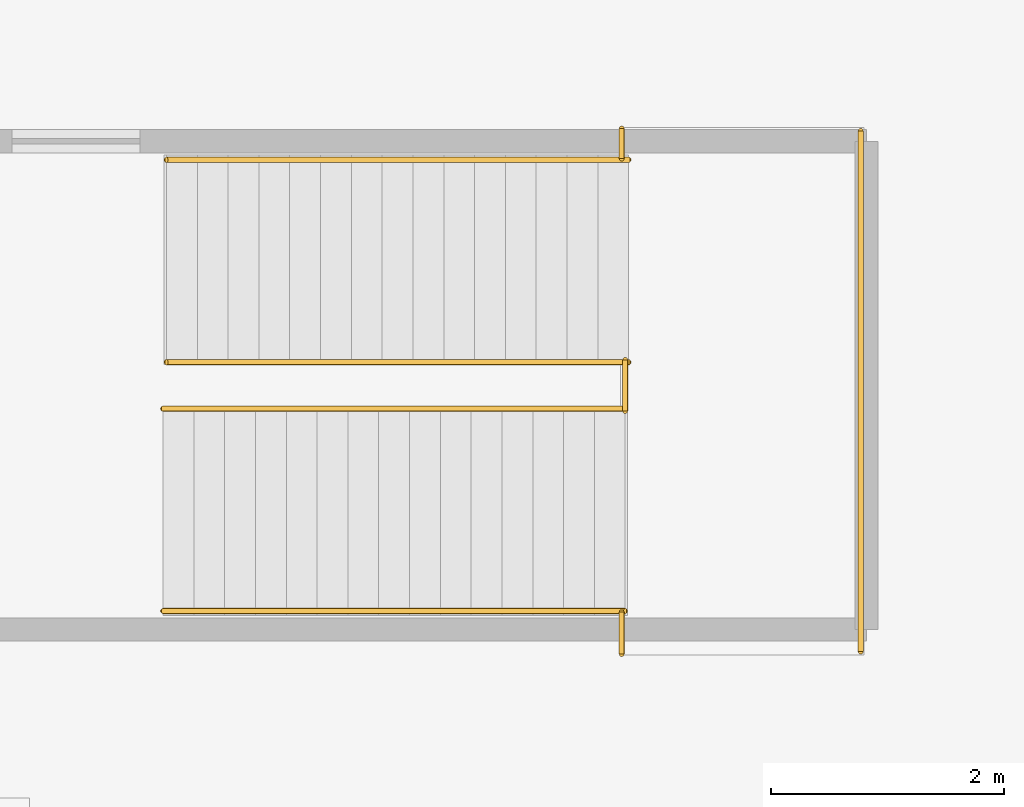
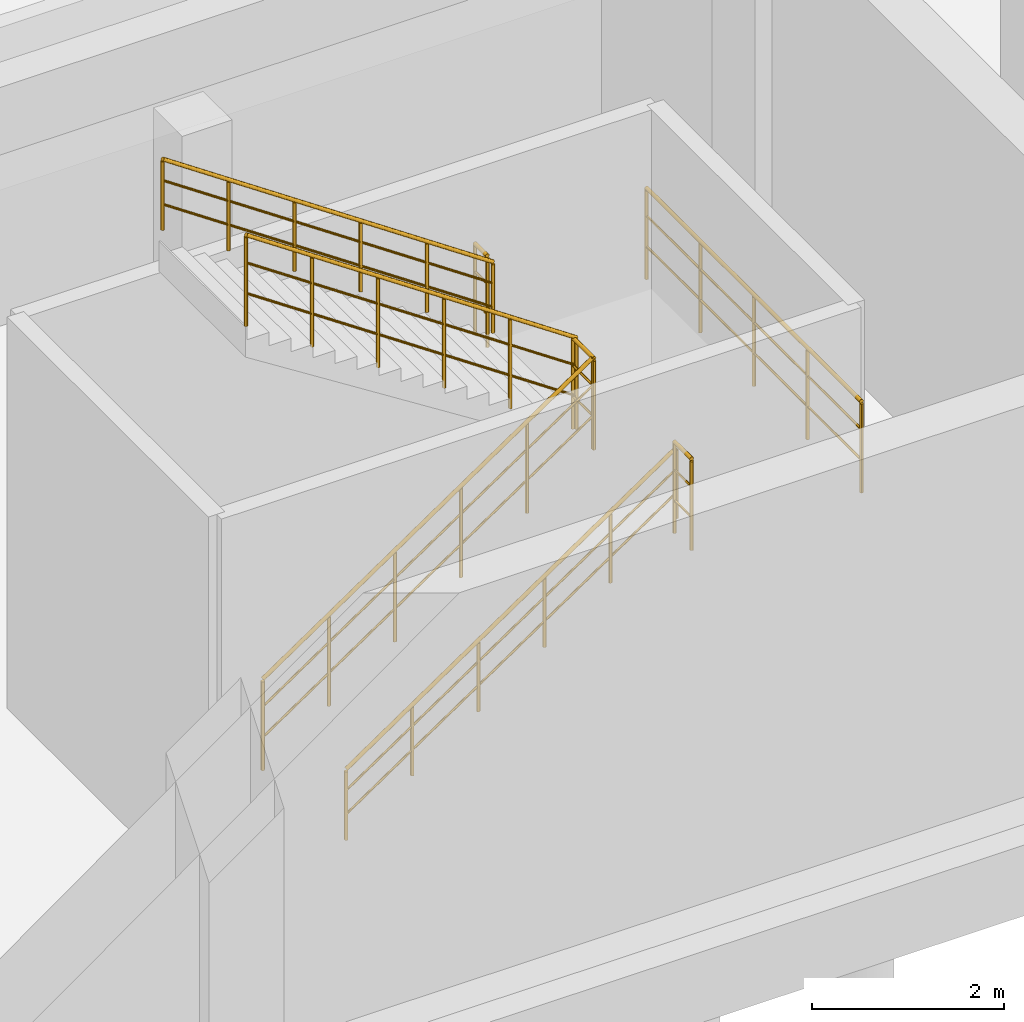
# One storey, part 41 of 42: 8 railings.
"""IFC4 building model written with IfcOpenShell, lengths in metres."""

from ifc_helpers import new_model, si_unit, direction, frame, origin, origin_2d, place, context, subcontext, project, spatial, circle, extrude, material, layer, layer_set, type_object, element, save


model = new_model("IFC4")

# Units and contexts
model_context = context("Model", 3, precision=1e-05, world=origin(), true_north=direction((0.0, 1.0)))
body_context = subcontext(model_context, "Body", "Model", "MODEL_VIEW")
ifc_project = project(units=[si_unit("LENGTHUNIT", "METRE"), si_unit("AREAUNIT", "SQUARE_METRE"), si_unit("VOLUMEUNIT", "CUBIC_METRE"), si_unit("PLANEANGLEUNIT", "RADIAN"), si_unit("MASSUNIT", "GRAM", prefix="KILO"), si_unit("THERMODYNAMICTEMPERATUREUNIT", "KELVIN"), si_unit("POWERUNIT", "WATT")], contexts=[model_context])

# Site, building, storey
site_placement = place(None, origin())
site = spatial("IfcSite", under=ifc_project, at=site_placement, CompositionType="ELEMENT")
building_placement = place(site_placement, origin())
building = spatial("IfcBuilding", under=site, at=building_placement, Name="Solmara Park Aquatics Centre", CompositionType="ELEMENT")
storey_placement = place(building_placement, frame((0.0, 0.0, -5.39990234375)))
storey = spatial("IfcBuildingStorey", under=building, at=storey_placement, Name="B1", CompositionType="ELEMENT", Elevation=-5.39990234375)

# Railings
ifc_material_1 = material(Name="Brushed Marine-Grade Stainless Steel 316L Handrail", Category="steel")
ifc_layer_1 = layer(ifc_material_1, 0.044921875, Name="Brushed Marine-Grade Stainless Steel 316L Handrail")
ifc_layer_set_1 = layer_set([ifc_layer_1], Name="Brushed Marine-Grade Stainless Steel 316L Handrail")
railing_type_1 = type_object("IfcRailingType", Name="ARC-RL-HND090", PredefinedType="HANDRAIL", material=ifc_layer_set_1)
railing_1_placement = place(storey_placement, frame((146.85009765625, 111.010009765625, 0.168701171875)))
element("IfcRailing", 1, at=railing_1_placement, inside=storey, type_object=railing_type_1, Name="East Wellness Escape Stair ST-07 (B1-L00) Flight 1 Outer Handrail", PredefinedType="HANDRAIL", context=body_context, shape_type="SweptSolid", body=[
    extrude(circle(Radius=0.02392578125, at=origin_2d()), frame((0.0, 0.0, 0.89599609375), z_axis=(0.827211789872, 0.0, 0.56189025147), x_axis=(0.0, 1.0, 0.0)), (0.0, 0.0, 1.0), 4.80517578125),
    extrude(circle(Radius=0.01416015625, at=origin_2d()), frame((0.0, 0.0, 0.322021484375), z_axis=(0.827211789872, 0.0, 0.56189025147), x_axis=(0.0, 1.0, 0.0)), (0.0, 0.0, 1.0), 4.80517578125),
    extrude(circle(Radius=0.01416015625, at=origin_2d()), frame((0.0, 0.0, 0.62548828125), z_axis=(0.827211789872, 0.0, 0.56189025147), x_axis=(0.0, 1.0, 0.0)), (0.0, 0.0, 1.0), 4.80517578125),
    extrude(circle(Radius=0.02099609375, at=origin_2d()), origin(), (0.0, 0.0, 1.0), 0.871826171875),
    extrude(circle(Radius=0.02099609375, at=origin_2d()), frame((0.794921875, 0.0, 0.5400390625)), (0.0, 0.0, 1.0), 0.871826171875),
    extrude(circle(Radius=0.02099609375, at=origin_2d()), frame((1.58984375, 0.0, 1.080078125)), (0.0, 0.0, 1.0), 0.871826171875),
    extrude(circle(Radius=0.02099609375, at=origin_2d()), frame((2.385009765625, 0.0, 1.619873046875)), (0.0, 0.0, 1.0), 0.871826171875),
    extrude(circle(Radius=0.02099609375, at=origin_2d()), frame((3.179931640625, 0.0, 2.159912109375)), (0.0, 0.0, 1.0), 0.871826171875),
    extrude(circle(Radius=0.02099609375, at=origin_2d()), frame((3.974853515625, 0.0, 2.699951171875)), (0.0, 0.0, 1.0), 0.871826171875),
])
railing_2_placement = place(storey_placement, frame((150.85498046875, 114.889892578125, 2.86865234375)))
element("IfcRailing", 2, at=railing_2_placement, inside=storey, type_object=railing_type_1, Name="East Wellness Escape Stair ST-07 (B1-L00) Flight 2 Outer Handrail", PredefinedType="HANDRAIL", context=body_context, shape_type="SweptSolid", body=[
    extrude(circle(Radius=0.02392578125, at=origin_2d()), frame((0.0, 0.0, 0.89599609375), z_axis=(-0.827227830126, 0.0, 0.561866636369), x_axis=(0.0, -1.0, 0.0)), (0.0, 0.0, 1.0), 4.805419921875),
    extrude(circle(Radius=0.01416015625, at=origin_2d()), frame((0.0, 0.0, 0.322021484375), z_axis=(-0.827227830126, 0.0, 0.561866636369), x_axis=(0.0, -1.0, 0.0)), (0.0, 0.0, 1.0), 4.805419921875),
    extrude(circle(Radius=0.01416015625, at=origin_2d()), frame((0.0, 0.0, 0.62548828125), z_axis=(-0.827227830126, 0.0, 0.561866636369), x_axis=(0.0, -1.0, 0.0)), (0.0, 0.0, 1.0), 4.805419921875),
    extrude(circle(Radius=0.02099609375, at=origin_2d()), origin(), (0.0, 0.0, 1.0), 0.871826171875),
    extrude(circle(Radius=0.02099609375, at=origin_2d()), frame((-0.794921875, 0.0, 0.5400390625)), (0.0, 0.0, 1.0), 0.871826171875),
    extrude(circle(Radius=0.02099609375, at=origin_2d()), frame((-1.590087890625, 0.0, 1.080078125)), (0.0, 0.0, 1.0), 0.871826171875),
    extrude(circle(Radius=0.02099609375, at=origin_2d()), frame((-2.385009765625, 0.0, 1.619873046875)), (0.0, 0.0, 1.0), 0.871826171875),
    extrude(circle(Radius=0.02099609375, at=origin_2d()), frame((-3.18017578125, 0.0, 2.159912109375)), (0.0, 0.0, 1.0), 0.871826171875),
    extrude(circle(Radius=0.02099609375, at=origin_2d()), frame((-3.97509765625, 0.0, 2.699951171875)), (0.0, 0.0, 1.0), 0.871826171875),
])
ifc_material_2 = material(Name="Brushed Stainless Steel Guardrail", Category="steel")
ifc_layer_2 = layer(ifc_material_2, 0.050048828125, Name="Brushed Stainless Steel Guardrail")
ifc_layer_set_2 = layer_set([ifc_layer_2], Name="Brushed Stainless Steel Guardrail")
railing_type_2 = type_object("IfcRailingType", Name="ARC-RL-STR110", PredefinedType="GUARDRAIL", material=ifc_layer_set_2)
railing_3_placement = place(storey_placement, frame((146.85009765625, 112.75, 0.0)))
element("IfcRailing", 3, at=railing_3_placement, inside=storey, type_object=railing_type_2, Name="East Wellness Escape Stair ST-07 (B1-L00) Flight 1 Inner Guardrail", PredefinedType="GUARDRAIL", context=body_context, shape_type="SweptSolid", body=[
    extrude(circle(Radius=0.02392578125, at=origin_2d()), frame((0.0, 0.0, 1.15576171875), z_axis=(0.827211789872, 0.0, 0.56189025147), x_axis=(0.0, 1.0, 0.0)), (0.0, 0.0, 1.0), 4.80517578125),
    extrude(circle(Radius=0.01416015625, at=origin_2d()), frame((0.0, 0.0, 0.4130859375), z_axis=(0.827211789872, 0.0, 0.56189025147), x_axis=(0.0, 1.0, 0.0)), (0.0, 0.0, 1.0), 4.80517578125),
    extrude(circle(Radius=0.01416015625, at=origin_2d()), frame((0.0, 0.0, 0.80224609375), z_axis=(0.827211789872, 0.0, 0.56189025147), x_axis=(0.0, 1.0, 0.0)), (0.0, 0.0, 1.0), 4.80517578125),
    extrude(circle(Radius=0.02099609375, at=origin_2d()), origin(), (0.0, 0.0, 1.0), 1.1318359375),
    extrude(circle(Radius=0.02099609375, at=origin_2d()), frame((0.794921875, 0.0, 0.5400390625)), (0.0, 0.0, 1.0), 1.1318359375),
    extrude(circle(Radius=0.02099609375, at=origin_2d()), frame((1.58984375, 0.0, 1.080078125)), (0.0, 0.0, 1.0), 1.1318359375),
    extrude(circle(Radius=0.02099609375, at=origin_2d()), frame((2.385009765625, 0.0, 1.619873046875)), (0.0, 0.0, 1.0), 1.1318359375),
    extrude(circle(Radius=0.02099609375, at=origin_2d()), frame((3.179931640625, 0.0, 2.159912109375)), (0.0, 0.0, 1.0), 1.1318359375),
    extrude(circle(Radius=0.02099609375, at=origin_2d()), frame((3.974853515625, 0.0, 2.699951171875)), (0.0, 0.0, 1.0), 1.1318359375),
])
railing_4_placement = place(storey_placement, frame((150.85498046875, 113.14990234375, 2.699951171875)))
element("IfcRailing", 4, at=railing_4_placement, inside=storey, type_object=railing_type_2, Name="East Wellness Escape Stair ST-07 (B1-L00) Flight 2 Inner Guardrail", PredefinedType="GUARDRAIL", context=body_context, shape_type="SweptSolid", body=[
    extrude(circle(Radius=0.02392578125, at=origin_2d()), frame((0.0, 0.0, 1.15576171875), z_axis=(-0.827227830126, 0.0, 0.561866636369), x_axis=(0.0, -1.0, 0.0)), (0.0, 0.0, 1.0), 4.805419921875),
    extrude(circle(Radius=0.01416015625, at=origin_2d()), frame((0.0, 0.0, 0.4130859375), z_axis=(-0.827227830126, 0.0, 0.561866636369), x_axis=(0.0, -1.0, 0.0)), (0.0, 0.0, 1.0), 4.805419921875),
    extrude(circle(Radius=0.01416015625, at=origin_2d()), frame((0.0, 0.0, 0.80224609375), z_axis=(-0.827227830126, 0.0, 0.561866636369), x_axis=(0.0, -1.0, 0.0)), (0.0, 0.0, 1.0), 4.805419921875),
    extrude(circle(Radius=0.02099609375, at=origin_2d()), origin(), (0.0, 0.0, 1.0), 1.1318359375),
    extrude(circle(Radius=0.02099609375, at=origin_2d()), frame((-0.794921875, 0.0, 0.5400390625)), (0.0, 0.0, 1.0), 1.1318359375),
    extrude(circle(Radius=0.02099609375, at=origin_2d()), frame((-1.590087890625, 0.0, 1.080078125)), (0.0, 0.0, 1.0), 1.1318359375),
    extrude(circle(Radius=0.02099609375, at=origin_2d()), frame((-2.385009765625, 0.0, 1.619873046875)), (0.0, 0.0, 1.0), 1.1318359375),
    extrude(circle(Radius=0.02099609375, at=origin_2d()), frame((-3.18017578125, 0.0, 2.159912109375)), (0.0, 0.0, 1.0), 1.1318359375),
    extrude(circle(Radius=0.02099609375, at=origin_2d()), frame((-3.97509765625, 0.0, 2.699951171875)), (0.0, 0.0, 1.0), 1.1318359375),
])
railing_5_placement = place(storey_placement, frame((150.824951171875, 112.72998046875, 2.699951171875)))
element("IfcRailing", 5, at=railing_5_placement, inside=storey, type_object=railing_type_2, Name="East Wellness Escape Stair ST-07 (B1-L00) Half-Landing Well Guardrail", PredefinedType="GUARDRAIL", context=body_context, shape_type="SweptSolid", body=[
    extrude(circle(Radius=0.02392578125, at=origin_2d()), frame((0.0, 0.0, 1.15576171875), z_axis=(0.0, 1.0, 0.0), x_axis=(-1.0, 0.0, 0.0)), (0.0, 0.0, 1.0), 0.43994140625),
    extrude(circle(Radius=0.01416015625, at=origin_2d()), frame((0.0, 0.0, 0.4130859375), z_axis=(0.0, 1.0, 0.0), x_axis=(-1.0, 0.0, 0.0)), (0.0, 0.0, 1.0), 0.43994140625),
    extrude(circle(Radius=0.01416015625, at=origin_2d()), frame((0.0, 0.0, 0.80224609375), z_axis=(0.0, 1.0, 0.0), x_axis=(-1.0, 0.0, 0.0)), (0.0, 0.0, 1.0), 0.43994140625),
    extrude(circle(Radius=0.02099609375, at=origin_2d()), origin(), (0.0, 0.0, 1.0), 1.1318359375),
    extrude(circle(Radius=0.02099609375, at=origin_2d()), frame((0.0, 0.43994140625, 0.0)), (0.0, 0.0, 1.0), 1.1318359375),
])
railing_6_placement = place(storey_placement, frame((150.794921875, 110.639892578125, 2.699951171875)))
element("IfcRailing", 6, at=railing_6_placement, inside=storey, type_object=railing_type_2, Name="East Wellness Escape Stair ST-07 (B1-L00) Half-Landing South Slot Guardrail", PredefinedType="GUARDRAIL", context=body_context, shape_type="SweptSolid", body=[
    extrude(circle(Radius=0.02392578125, at=origin_2d()), frame((0.0, 0.0, 1.15576171875), z_axis=(0.0, 1.0, 0.0), x_axis=(-1.0, 0.0, 0.0)), (0.0, 0.0, 1.0), 0.360107421875),
    extrude(circle(Radius=0.01416015625, at=origin_2d()), frame((0.0, 0.0, 0.4130859375), z_axis=(0.0, 1.0, 0.0), x_axis=(-1.0, 0.0, 0.0)), (0.0, 0.0, 1.0), 0.360107421875),
    extrude(circle(Radius=0.01416015625, at=origin_2d()), frame((0.0, 0.0, 0.80224609375), z_axis=(0.0, 1.0, 0.0), x_axis=(-1.0, 0.0, 0.0)), (0.0, 0.0, 1.0), 0.360107421875),
    extrude(circle(Radius=0.02099609375, at=origin_2d()), origin(), (0.0, 0.0, 1.0), 1.1318359375),
    extrude(circle(Radius=0.02099609375, at=origin_2d()), frame((0.0, 0.360107421875, 0.0)), (0.0, 0.0, 1.0), 1.1318359375),
])
railing_7_placement = place(storey_placement, frame((150.794921875, 114.89990234375, 2.699951171875)))
element("IfcRailing", 7, at=railing_7_placement, inside=storey, type_object=railing_type_2, Name="East Wellness Escape Stair ST-07 (B1-L00) Half-Landing North Slot Guardrail", PredefinedType="GUARDRAIL", context=body_context, shape_type="SweptSolid", body=[
    extrude(circle(Radius=0.02392578125, at=origin_2d()), frame((0.0, 0.0, 1.15576171875), z_axis=(0.0, 1.0, 0.0), x_axis=(-1.0, 0.0, 0.0)), (0.0, 0.0, 1.0), 0.260009765625),
    extrude(circle(Radius=0.01416015625, at=origin_2d()), frame((0.0, 0.0, 0.4130859375), z_axis=(0.0, 1.0, 0.0), x_axis=(-1.0, 0.0, 0.0)), (0.0, 0.0, 1.0), 0.260009765625),
    extrude(circle(Radius=0.01416015625, at=origin_2d()), frame((0.0, 0.0, 0.80224609375), z_axis=(0.0, 1.0, 0.0), x_axis=(-1.0, 0.0, 0.0)), (0.0, 0.0, 1.0), 0.260009765625),
    extrude(circle(Radius=0.02099609375, at=origin_2d()), origin(), (0.0, 0.0, 1.0), 1.1318359375),
    extrude(circle(Radius=0.02099609375, at=origin_2d()), frame((0.0, 0.260009765625, 0.0)), (0.0, 0.0, 1.0), 1.1318359375),
])
railing_8_placement = place(storey_placement, frame((152.85009765625, 110.659912109375, 2.699951171875)))
element("IfcRailing", 8, at=railing_8_placement, inside=storey, type_object=railing_type_2, Name="East Wellness Escape Stair ST-07 (B1-L00) Half-Landing Outer Guardrail", PredefinedType="GUARDRAIL", context=body_context, shape_type="SweptSolid", body=[
    extrude(circle(Radius=0.02392578125, at=origin_2d()), frame((0.0, 0.0, 1.15576171875), z_axis=(0.0, 1.0, 0.0), x_axis=(-1.0, 0.0, 0.0)), (0.0, 0.0, 1.0), 4.47998046875),
    extrude(circle(Radius=0.01416015625, at=origin_2d()), frame((0.0, 0.0, 0.4130859375), z_axis=(0.0, 1.0, 0.0), x_axis=(-1.0, 0.0, 0.0)), (0.0, 0.0, 1.0), 4.47998046875),
    extrude(circle(Radius=0.01416015625, at=origin_2d()), frame((0.0, 0.0, 0.80224609375), z_axis=(0.0, 1.0, 0.0), x_axis=(-1.0, 0.0, 0.0)), (0.0, 0.0, 1.0), 4.47998046875),
    extrude(circle(Radius=0.02099609375, at=origin_2d()), origin(), (0.0, 0.0, 1.0), 1.1318359375),
    extrude(circle(Radius=0.02099609375, at=origin_2d()), frame((0.0, 1.1201171875, 0.0)), (0.0, 0.0, 1.0), 1.1318359375),
    extrude(circle(Radius=0.02099609375, at=origin_2d()), frame((0.0, 2.239990234375, 0.0)), (0.0, 0.0, 1.0), 1.1318359375),
    extrude(circle(Radius=0.02099609375, at=origin_2d()), frame((0.0, 3.35986328125, 0.0)), (0.0, 0.0, 1.0), 1.1318359375),
    extrude(circle(Radius=0.02099609375, at=origin_2d()), frame((0.0, 4.47998046875, 0.0)), (0.0, 0.0, 1.0), 1.1318359375),
])

save(model, "model.ifc")
